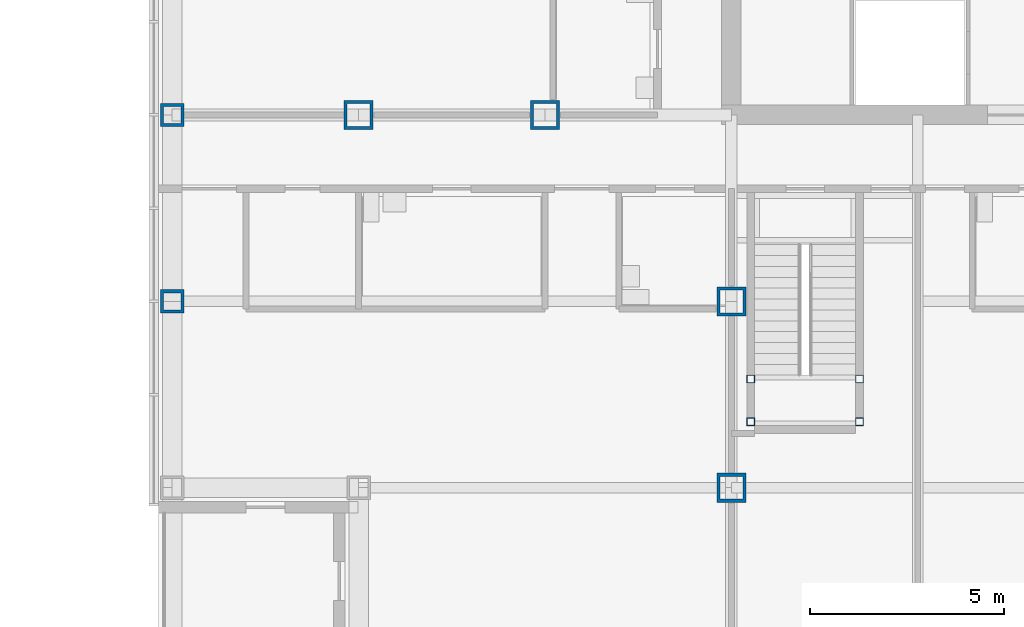
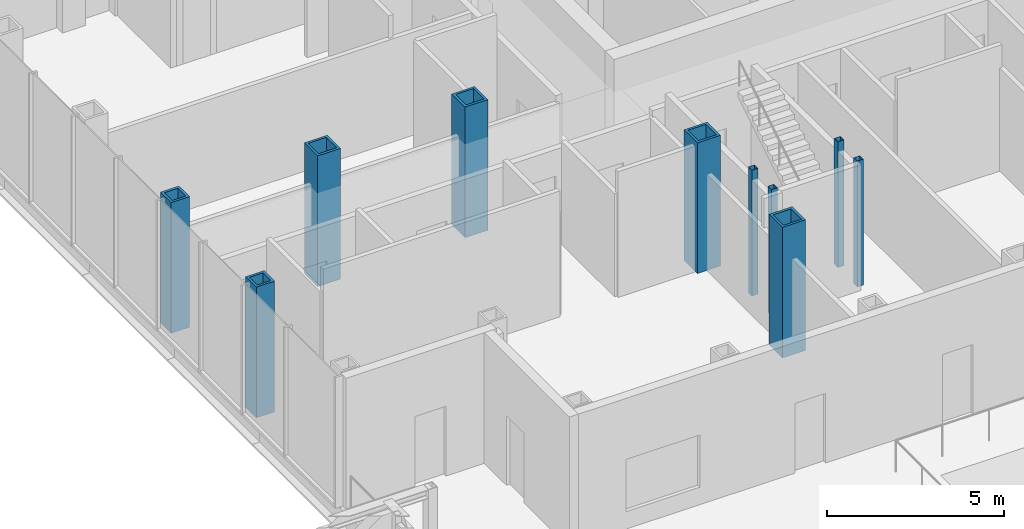
# One storey, part 2 of 24: 10 columns.
"""IFC4 building model written with IfcOpenShell, lengths in metres."""

from ifc_helpers import new_model, si_unit, direction, frame, origin, origin_2d, place, context, subcontext, project, spatial, hollow_rectangle, extrude, material, material_profile, profile_set, type_object, element, save


model = new_model("IFC4")

# Units and contexts
model_context = context("Model", 3, precision=1e-05, world=origin(), true_north=direction((0.0, 1.0)))
body_context = subcontext(model_context, "Body", "Model", "MODEL_VIEW")
ifc_project = project(units=[si_unit("LENGTHUNIT", "METRE"), si_unit("AREAUNIT", "SQUARE_METRE"), si_unit("VOLUMEUNIT", "CUBIC_METRE"), si_unit("PLANEANGLEUNIT", "RADIAN"), si_unit("MASSUNIT", "GRAM", prefix="KILO")], contexts=[model_context])

# Site, building, storey
site_placement = place(None, origin())
site = spatial("IfcSite", under=ifc_project, at=site_placement, CompositionType="ELEMENT")
building_placement = place(site_placement, origin())
building = spatial("IfcBuilding", under=site, at=building_placement, Name="Kvirike Care Tower", CompositionType="ELEMENT")
storey_placement = place(building_placement, frame((0.0, 0.0, 22.5)))
storey = spatial("IfcBuildingStorey", under=building, at=storey_placement, Name="L05", CompositionType="ELEMENT", Elevation=22.5)

# Columns
ifc_material_1 = material(Name="Steel S460", Category="steel")
ifc_material_profile_1 = material_profile(ifc_material_1, hollow_rectangle(XDim=0.60009765625, YDim=0.60009765625, WallThickness=0.080078125, at=origin_2d()), Name="BX 600x600x80")
ifc_profile_set_1 = profile_set([ifc_material_profile_1], Name="Steel S460")
column_type_1 = type_object("IfcColumnType", Name="COLUMN BX 600x600x80", PredefinedType="COLUMN", material=ifc_profile_set_1)
for number, where, z_axis, x_axis, name in (
    (1, (0.0, 24.0, 0.0), (0.0, 0.0, 1.0), (1.0, 0.0, 0.0), "Column F3 L05"),
    (2, (0.0, 28.800048828125, 0.0), (0.0, 0.0, 1.0), (0.0, 1.0, 0.0), "Column G3 L05"),
):
    element("IfcColumn", number, at=place(storey_placement, frame(where, z_axis=z_axis, x_axis=x_axis)), inside=storey, type_object=column_type_1, Name=name, PredefinedType="COLUMN", context=body_context, shape_type="SweptSolid", body=[
        extrude(hollow_rectangle(XDim=0.60009765625, YDim=0.60009765625, WallThickness=0.080078125, at=origin_2d()), origin(), (0.0, 0.0, 1.0), 4.5),
    ])
ifc_material_2 = material(Name="Steel S460", Category="steel")
ifc_material_profile_2 = material_profile(ifc_material_2, hollow_rectangle(XDim=0.75, YDim=0.75, WallThickness=0.080078125, at=origin_2d()), Name="BX 750x750x80")
ifc_profile_set_2 = profile_set([ifc_material_profile_2], Name="Steel S460")
column_type_2 = type_object("IfcColumnType", Name="COLUMN BX 750x750x80", PredefinedType="COLUMN", material=ifc_profile_set_2)
for number, where, z_axis, x_axis, name in (
    (3, (4.800048828125, 28.800048828125, 0.0), (0.0, 0.0, 1.0), (0.0, 1.0, 0.0), "Column G4 L05"),
    (4, (9.60009765625, 28.800048828125, 0.0), (0.0, 0.0, 1.0), (0.0, 1.0, 0.0), "Column G5 L05"),
    (5, (14.39990234375, 19.199951171875, 0.0), (0.0, 0.0, 1.0), (1.0, 0.0, 0.0), "Column E6 L05"),
    (6, (14.39990234375, 24.0, 0.0), (0.0, 0.0, 1.0), (1.0, 0.0, 0.0), "Column F6 L05"),
):
    element("IfcColumn", number, at=place(storey_placement, frame(where, z_axis=z_axis, x_axis=x_axis)), inside=storey, type_object=column_type_2, Name=name, PredefinedType="COLUMN", context=body_context, shape_type="SweptSolid", body=[
        extrude(hollow_rectangle(XDim=0.75, YDim=0.75, WallThickness=0.080078125, at=origin_2d()), origin(), (0.0, 0.0, 1.0), 4.5),
    ])
ifc_material_3 = material(Name="Steel S460", Category="steel")
ifc_material_profile_3 = material_profile(ifc_material_3, hollow_rectangle(XDim=0.199951171875, YDim=0.199951171875, WallThickness=0.008056640625, at=origin_2d()), Name="SHS 200x200x8")
ifc_profile_set_3 = profile_set([ifc_material_profile_3], Name="Steel S460")
column_type_3 = type_object("IfcColumnType", Name="STAIR POST SHS 200x200x8", PredefinedType="COLUMN", material=ifc_profile_set_3)
for number, where, z_axis, x_axis, name in (
    (7, (14.89990234375, 20.89990234375, 0.0), (0.0, 0.0, 1.0), (1.0, 0.0, 0.0), "Stair 5 post 1 L05"),
    (8, (17.699951171875, 20.89990234375, 0.0), (0.0, 0.0, 1.0), (1.0, 0.0, 0.0), "Stair 5 post 2 L05"),
    (9, (14.89990234375, 22.0, 0.0), (0.0, 0.0, 1.0), (1.0, 0.0, 0.0), "Stair 5 post 3 L05"),
    (10, (17.699951171875, 22.0, 0.0), (0.0, 0.0, 1.0), (1.0, 0.0, 0.0), "Stair 5 post 4 L05"),
):
    element("IfcColumn", number, at=place(storey_placement, frame(where, z_axis=z_axis, x_axis=x_axis)), inside=storey, type_object=column_type_3, Name=name, PredefinedType="COLUMN", context=body_context, shape_type="SweptSolid", body=[
        extrude(hollow_rectangle(XDim=0.199951171875, YDim=0.199951171875, WallThickness=0.008056640625, at=origin_2d()), origin(), (0.0, 0.0, 1.0), 4.330078125),
    ])

save(model, "model.ifc")
